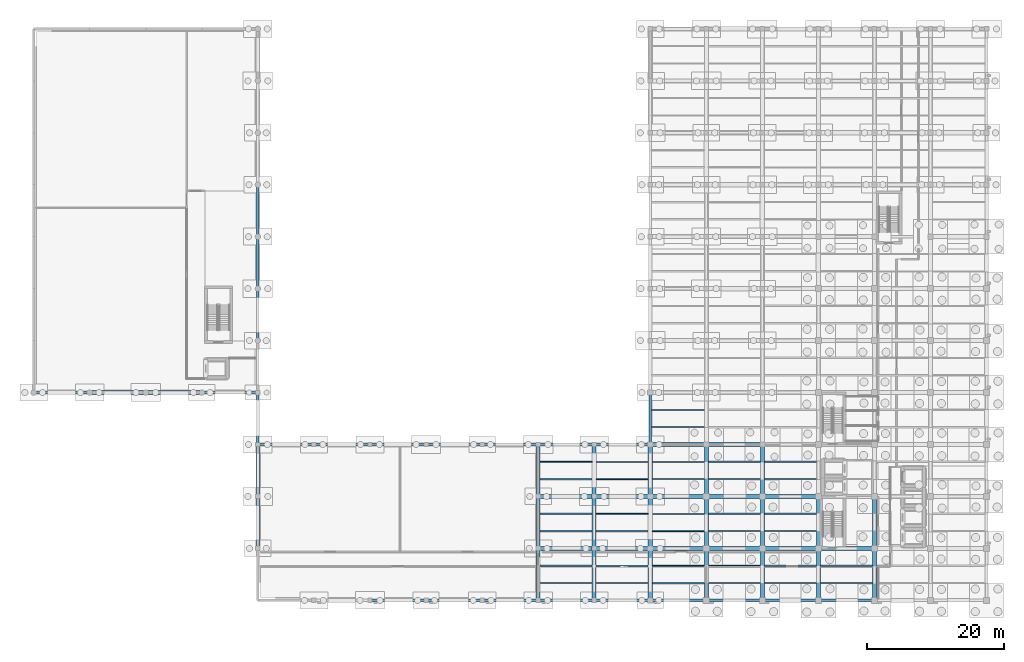
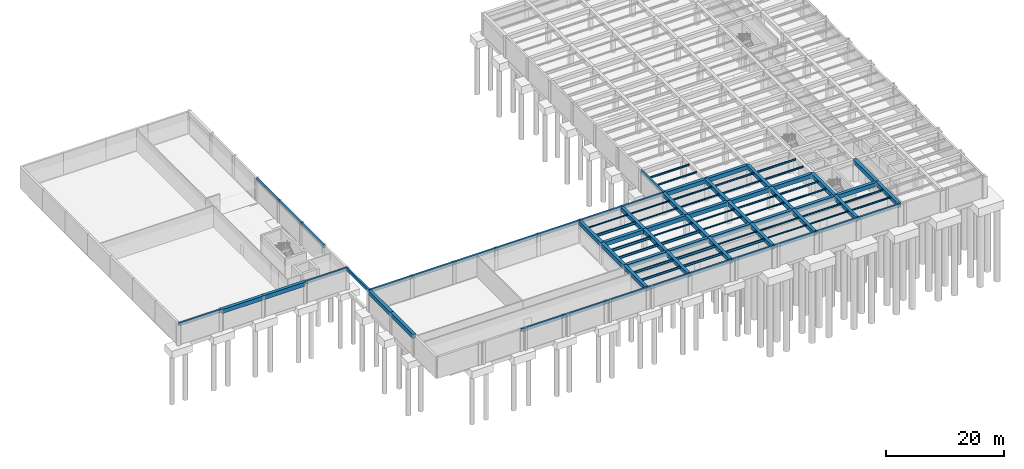
# One storey, part 12 of 29: 93 beams.
"""IFC4 building model written with IfcOpenShell, lengths in metres."""

from ifc_helpers import new_model, si_unit, direction, frame, origin, origin_2d, place, context, subcontext, project, spatial, rectangle, i_section, extrude, material, material_profile, profile_set, type_object, element, save


model = new_model("IFC4")

# Units and contexts
model_context = context("Model", 3, precision=1e-05, world=origin(), true_north=direction((0.0, 1.0)))
body_context = subcontext(model_context, "Body", "Model", "MODEL_VIEW")
ifc_project = project(units=[si_unit("LENGTHUNIT", "METRE"), si_unit("AREAUNIT", "SQUARE_METRE"), si_unit("VOLUMEUNIT", "CUBIC_METRE"), si_unit("PLANEANGLEUNIT", "RADIAN"), si_unit("MASSUNIT", "GRAM", prefix="KILO")], contexts=[model_context])

# Site, building, storey
site_placement = place(None, origin())
site = spatial("IfcSite", under=ifc_project, at=site_placement, CompositionType="ELEMENT")
building_placement = place(site_placement, origin())
building = spatial("IfcBuilding", under=site, at=building_placement, Name="Qandaris Square Conservatory and Botanical Centre", CompositionType="ELEMENT")
storey_placement = place(building_placement, frame((0.0, 0.0, -4.800048828125)))
storey = spatial("IfcBuildingStorey", under=building, at=storey_placement, Name="B1", CompositionType="ELEMENT", Elevation=-4.800048828125)

# Beams
ifc_material_1 = material(Name="Steel S355", Category="steel")
ifc_material_profile_1 = material_profile(ifc_material_1, i_section(OverallWidth=0.18994140625, OverallDepth=0.449951171875, WebThickness=0.009521484375, FlangeThickness=0.0146484375, FilletRadius=0.02099609375, at=origin_2d()), Name="IPE 450")
ifc_profile_set_1 = profile_set([ifc_material_profile_1], Name="Steel S355")
beam_type_1 = type_object("IfcBeamType", Name="Composite Archive Joist IPE 450", PredefinedType="JOIST", material=ifc_profile_set_1)
beam_1_placement = place(storey_placement, frame((98.5, 19.13330078125, 4.22509765625), z_axis=(1.0, 0.0, 0.0), x_axis=(0.0, 1.0, 0.0)))
element("IfcBeam", 1, at=beam_1_placement, inside=storey, type_object=beam_type_1, Name="B1 Composite Joist 0185", PredefinedType="JOIST", context=body_context, shape_type="SweptSolid", body=[
    extrude(i_section(OverallWidth=0.18994140625, OverallDepth=0.449951171875, WebThickness=0.009521484375, FlangeThickness=0.0146484375, FilletRadius=0.02099609375, at=origin_2d()), origin(), (0.0, 0.0, 1.0), 7.60009765625),
])
ifc_material_profile_2 = material_profile(ifc_material_1, i_section(OverallWidth=0.199951171875, OverallDepth=0.5, WebThickness=0.01025390625, FlangeThickness=0.01611328125, FilletRadius=0.02099609375, at=origin_2d()), Name="IPE 500")
ifc_profile_set_2 = profile_set([ifc_material_profile_2], Name="Steel S355")
beam_type_2 = type_object("IfcBeamType", Name="Composite Gallery Joist IPE 500", PredefinedType="JOIST", material=ifc_profile_set_2)
for number, where, z_axis, x_axis, name in (
    (2, (98.5, 21.666748046875, 4.199951171875), (1.0, 0.0, 0.0), (0.0, 1.0, 0.0), "B1 Composite Joist 0186"),
    (3, (98.5, 26.7333984375, 4.199951171875), (1.0, 0.0, 0.0), (0.0, 1.0, 0.0), "B1 Composite Joist 0187"),
    (4, (106.699951171875, 19.13330078125, 4.199951171875), (1.0, 0.0, 0.0), (0.0, 1.0, 0.0), "B1 Composite Joist 0191"),
):
    element("IfcBeam", number, at=place(storey_placement, frame(where, z_axis=z_axis, x_axis=x_axis)), inside=storey, type_object=beam_type_2, Name=name, PredefinedType="JOIST", context=body_context, shape_type="SweptSolid", body=[
        extrude(i_section(OverallWidth=0.199951171875, OverallDepth=0.5, WebThickness=0.01025390625, FlangeThickness=0.01611328125, FilletRadius=0.02099609375, at=origin_2d()), origin(), (0.0, 0.0, 1.0), 7.60009765625),
    ])
ifc_material_profile_3 = material_profile(ifc_material_1, i_section(OverallWidth=0.14990234375, OverallDepth=0.300048828125, WebThickness=0.007080078125, FlangeThickness=0.0107421875, FilletRadius=0.014892578125, at=origin_2d()), Name="IPE 300")
ifc_profile_set_3 = profile_set([ifc_material_profile_3], Name="Steel S355")
beam_type_3 = type_object("IfcBeamType", Name="Composite Lab Joist IPE 300", PredefinedType="JOIST", material=ifc_profile_set_3)
for number, where, z_axis, x_axis, name in (
    (5, (106.699951171875, 36.86669921875, 4.300048828125), (1.0, 0.0, 0.0), (0.0, 1.0, 0.0), "B1 Composite Joist 0196"),
    (6, (114.89990234375, 29.2666015625, 4.300048828125), (1.0, 0.0, 0.0), (0.0, 1.0, 0.0), "B1 Composite Joist 0200"),
    (7, (114.89990234375, 34.333251953125, 4.300048828125), (1.0, 0.0, 0.0), (0.0, 1.0, 0.0), "B1 Composite Joist 0201"),
):
    element("IfcBeam", number, at=place(storey_placement, frame(where, z_axis=z_axis, x_axis=x_axis)), inside=storey, type_object=beam_type_3, Name=name, PredefinedType="JOIST", context=body_context, shape_type="SweptSolid", body=[
        extrude(i_section(OverallWidth=0.14990234375, OverallDepth=0.300048828125, WebThickness=0.007080078125, FlangeThickness=0.0107421875, FilletRadius=0.014892578125, at=origin_2d()), origin(), (0.0, 0.0, 1.0), 7.60009765625),
    ])
for number, where, z_axis, x_axis, name in (
    (8, (123.10009765625, 21.666748046875, 4.300048828125), (1.0, 0.0, 0.0), (0.0, 1.0, 0.0), "B1 Composite Joist 0220"),
    (9, (123.10009765625, 26.7333984375, 4.300048828125), (1.0, 0.0, 0.0), (0.0, 1.0, 0.0), "B1 Composite Joist 0221"),
    (10, (131.300048828125, 19.13330078125, 4.300048828125), (1.0, 0.0, 0.0), (0.0, 1.0, 0.0), "B1 Composite Joist 0241"),
):
    element("IfcBeam", number, at=place(storey_placement, frame(where, z_axis=z_axis, x_axis=x_axis)), inside=storey, type_object=beam_type_3, Name=name, PredefinedType="JOIST", context=body_context, shape_type="SweptSolid", body=[
        extrude(i_section(OverallWidth=0.14990234375, OverallDepth=0.300048828125, WebThickness=0.007080078125, FlangeThickness=0.0107421875, FilletRadius=0.014892578125, at=origin_2d()), origin(), (0.0, 0.0, 1.0), 7.599853515625),
    ])
ifc_material_profile_4 = material_profile(ifc_material_1, i_section(OverallWidth=0.159912109375, OverallDepth=0.330078125, WebThickness=0.007568359375, FlangeThickness=0.011474609375, FilletRadius=0.01806640625, at=origin_2d()), Name="IPE 330")
ifc_profile_set_4 = profile_set([ifc_material_profile_4], Name="Steel S355")
beam_type_4 = type_object("IfcBeamType", Name="Composite Lab Joist IPE 330", PredefinedType="JOIST", material=ifc_profile_set_4)
beam_2_placement = place(storey_placement, frame((114.89990234375, 36.86669921875, 4.28515625), z_axis=(1.0, 0.0, 0.0), x_axis=(0.0, 1.0, 0.0)))
element("IfcBeam", 11, at=beam_2_placement, inside=storey, type_object=beam_type_4, Name="B1 Composite Joist 0202", PredefinedType="JOIST", context=body_context, shape_type="SweptSolid", body=[
    extrude(i_section(OverallWidth=0.159912109375, OverallDepth=0.330078125, WebThickness=0.007568359375, FlangeThickness=0.011474609375, FilletRadius=0.01806640625, at=origin_2d()), origin(), (0.0, 0.0, 1.0), 7.60009765625),
])
beam_3_placement = place(storey_placement, frame((114.77490234375, 41.933349609375, 4.28515625), z_axis=(1.0, 0.0, 0.0), x_axis=(0.0, 1.0, 0.0)))
element("IfcBeam", 12, at=beam_3_placement, inside=storey, type_object=beam_type_4, Name="B1 Composite Joist 0203", PredefinedType="JOIST", context=body_context, shape_type="SweptSolid", body=[
    extrude(i_section(OverallWidth=0.159912109375, OverallDepth=0.330078125, WebThickness=0.007568359375, FlangeThickness=0.011474609375, FilletRadius=0.01806640625, at=origin_2d()), origin(), (0.0, 0.0, 1.0), 7.72509765625),
])
for number, where, z_axis, x_axis, name in (
    (13, (123.10009765625, 29.2666015625, 4.28515625), (1.0, 0.0, 0.0), (0.0, 1.0, 0.0), "B1 Composite Joist 0222"),
    (14, (123.10009765625, 34.333251953125, 4.28515625), (1.0, 0.0, 0.0), (0.0, 1.0, 0.0), "B1 Composite Joist 0223"),
    (15, (131.300048828125, 21.666748046875, 4.28515625), (1.0, 0.0, 0.0), (0.0, 1.0, 0.0), "B1 Composite Joist 0242"),
    (16, (131.300048828125, 26.7333984375, 4.28515625), (1.0, 0.0, 0.0), (0.0, 1.0, 0.0), "B1 Composite Joist 0243"),
):
    element("IfcBeam", number, at=place(storey_placement, frame(where, z_axis=z_axis, x_axis=x_axis)), inside=storey, type_object=beam_type_4, Name=name, PredefinedType="JOIST", context=body_context, shape_type="SweptSolid", body=[
        extrude(i_section(OverallWidth=0.159912109375, OverallDepth=0.330078125, WebThickness=0.007568359375, FlangeThickness=0.011474609375, FilletRadius=0.01806640625, at=origin_2d()), origin(), (0.0, 0.0, 1.0), 7.599853515625),
    ])
beam_4_placement = place(storey_placement, frame((139.5, 19.13330078125, 4.28515625), z_axis=(1.0, 0.0, 0.0), x_axis=(0.0, 1.0, 0.0)))
element("IfcBeam", 17, at=beam_4_placement, inside=storey, type_object=beam_type_4, Name="B1 Composite Joist 0263", PredefinedType="JOIST", context=body_context, shape_type="SweptSolid", body=[
    extrude(i_section(OverallWidth=0.159912109375, OverallDepth=0.330078125, WebThickness=0.007568359375, FlangeThickness=0.011474609375, FilletRadius=0.01806640625, at=origin_2d()), origin(), (0.0, 0.0, 1.0), 7.60009765625),
])
ifc_material_profile_5 = material_profile(ifc_material_1, i_section(OverallWidth=0.169921875, OverallDepth=0.360107421875, WebThickness=0.008056640625, FlangeThickness=0.0126953125, FilletRadius=0.01806640625, at=origin_2d()), Name="IPE 360")
ifc_profile_set_5 = profile_set([ifc_material_profile_5], Name="Steel S355")
beam_type_5 = type_object("IfcBeamType", Name="Composite Lab Joist IPE 360", PredefinedType="JOIST", material=ifc_profile_set_5)
beam_5_placement = place(storey_placement, frame((114.77490234375, 44.466796875, 4.27001953125), z_axis=(1.0, 0.0, 0.0), x_axis=(0.0, 1.0, 0.0)))
element("IfcBeam", 18, at=beam_5_placement, inside=storey, type_object=beam_type_5, Name="B1 Composite Joist 0204", PredefinedType="JOIST", context=body_context, shape_type="SweptSolid", body=[
    extrude(i_section(OverallWidth=0.169921875, OverallDepth=0.360107421875, WebThickness=0.008056640625, FlangeThickness=0.0126953125, FilletRadius=0.01806640625, at=origin_2d()), origin(), (0.0, 0.0, 1.0), 7.72509765625),
])
for number, where, z_axis, x_axis, name in (
    (19, (123.10009765625, 36.86669921875, 4.27001953125), (1.0, 0.0, 0.0), (0.0, 1.0, 0.0), "B1 Composite Joist 0224"),
    (20, (131.300048828125, 29.2666015625, 4.27001953125), (1.0, 0.0, 0.0), (0.0, 1.0, 0.0), "B1 Composite Joist 0244"),
    (21, (131.300048828125, 34.333251953125, 4.27001953125), (1.0, 0.0, 0.0), (0.0, 1.0, 0.0), "B1 Composite Joist 0245"),
):
    element("IfcBeam", number, at=place(storey_placement, frame(where, z_axis=z_axis, x_axis=x_axis)), inside=storey, type_object=beam_type_5, Name=name, PredefinedType="JOIST", context=body_context, shape_type="SweptSolid", body=[
        extrude(i_section(OverallWidth=0.169921875, OverallDepth=0.360107421875, WebThickness=0.008056640625, FlangeThickness=0.0126953125, FilletRadius=0.01806640625, at=origin_2d()), origin(), (0.0, 0.0, 1.0), 7.599853515625),
    ])
beam_6_placement = place(storey_placement, frame((139.5, 21.666748046875, 4.27001953125), z_axis=(1.0, 0.0, 0.0), x_axis=(0.0, 1.0, 0.0)))
element("IfcBeam", 22, at=beam_6_placement, inside=storey, type_object=beam_type_5, Name="B1 Composite Joist 0264", PredefinedType="JOIST", context=body_context, shape_type="SweptSolid", body=[
    extrude(i_section(OverallWidth=0.169921875, OverallDepth=0.360107421875, WebThickness=0.008056640625, FlangeThickness=0.0126953125, FilletRadius=0.01806640625, at=origin_2d()), origin(), (0.0, 0.0, 1.0), 7.60009765625),
])
ifc_material_profile_6 = material_profile(ifc_material_1, i_section(OverallWidth=0.179931640625, OverallDepth=0.39990234375, WebThickness=0.008544921875, FlangeThickness=0.013427734375, FilletRadius=0.02099609375, at=origin_2d()), Name="IPE 400")
ifc_profile_set_6 = profile_set([ifc_material_profile_6], Name="Steel S355")
beam_type_6 = type_object("IfcBeamType", Name="Composite Plinth Joist IPE 400", PredefinedType="JOIST", material=ifc_profile_set_6)
beam_7_placement = place(storey_placement, frame((131.300048828125, 36.86669921875, 4.25), z_axis=(1.0, 0.0, 0.0), x_axis=(0.0, 1.0, 0.0)))
element("IfcBeam", 23, at=beam_7_placement, inside=storey, type_object=beam_type_6, Name="B1 Composite Joist 0246", PredefinedType="JOIST", context=body_context, shape_type="SweptSolid", body=[
    extrude(i_section(OverallWidth=0.179931640625, OverallDepth=0.39990234375, WebThickness=0.008544921875, FlangeThickness=0.013427734375, FilletRadius=0.02099609375, at=origin_2d()), origin(), (0.0, 0.0, 1.0), 7.599853515625),
])
ifc_material_profile_7 = material_profile(ifc_material_1, i_section(OverallWidth=0.2099609375, OverallDepth=0.550048828125, WebThickness=0.010986328125, FlangeThickness=0.01708984375, FilletRadius=0.02392578125, at=origin_2d()), Name="IPE 550")
ifc_profile_set_7 = profile_set([ifc_material_profile_7], Name="Steel S355")
beam_type_7 = type_object("IfcBeamType", Name="Long-Span Foyer Joist IPE 550", PredefinedType="JOIST", material=ifc_profile_set_7)
for number, where, z_axis, x_axis, name in (
    (24, (98.5, 29.2666015625, 4.175048828125), (1.0, 0.0, 0.0), (0.0, 1.0, 0.0), "B1 Composite Joist 0188"),
    (25, (98.5, 34.333251953125, 4.175048828125), (1.0, 0.0, 0.0), (0.0, 1.0, 0.0), "B1 Composite Joist 0189"),
    (26, (106.699951171875, 21.666748046875, 4.175048828125), (1.0, 0.0, 0.0), (0.0, 1.0, 0.0), "B1 Composite Joist 0192"),
    (27, (106.699951171875, 26.7333984375, 4.175048828125), (1.0, 0.0, 0.0), (0.0, 1.0, 0.0), "B1 Composite Joist 0193"),
    (28, (114.89990234375, 19.13330078125, 4.175048828125), (1.0, 0.0, 0.0), (0.0, 1.0, 0.0), "B1 Composite Joist 0197"),
):
    element("IfcBeam", number, at=place(storey_placement, frame(where, z_axis=z_axis, x_axis=x_axis)), inside=storey, type_object=beam_type_7, Name=name, PredefinedType="JOIST", context=body_context, shape_type="SweptSolid", body=[
        extrude(i_section(OverallWidth=0.2099609375, OverallDepth=0.550048828125, WebThickness=0.010986328125, FlangeThickness=0.01708984375, FilletRadius=0.02392578125, at=origin_2d()), origin(), (0.0, 0.0, 1.0), 7.60009765625),
    ])
ifc_material_2 = material(Name="Concrete C50/60", Category="concrete")
ifc_material_profile_8 = material_profile(ifc_material_2, rectangle(XDim=0.35009765625, YDim=0.60009765625, at=origin_2d()), Name="RC-SP 350x600")
ifc_profile_set_8 = profile_set([ifc_material_profile_8], Name="Concrete C50/60")
beam_type_8 = type_object("IfcBeamType", Name="RC Edge Spandrel Beam 350x600", PredefinedType="SPANDREL", material=ifc_profile_set_8)
for number, where, z_axis, x_axis, name in (
    (29, (73.60009765625, 16.60009765625, 4.16015625), (1.0, 0.0, 0.0), (0.0, 1.0, 0.0), "B1 Frame Beam 0002"),
    (30, (81.800048828125, 16.60009765625, 4.16015625), (1.0, 0.0, 0.0), (0.0, 1.0, 0.0), "B1 Frame Beam 0003"),
    (31, (90.0, 16.60009765625, 4.16015625), (1.0, 0.0, 0.0), (0.0, 1.0, 0.0), "B1 Frame Beam 0004"),
    (32, (98.199951171875, 16.60009765625, 4.16015625), (1.0, 0.0, 0.0), (0.0, 1.0, 0.0), "B1 Frame Beam 0005"),
):
    element("IfcBeam", number, at=place(storey_placement, frame(where, z_axis=z_axis, x_axis=x_axis)), inside=storey, type_object=beam_type_8, Name=name, PredefinedType="SPANDREL", context=body_context, shape_type="SweptSolid", body=[
        extrude(rectangle(XDim=0.35009765625, YDim=0.60009765625, at=origin_2d()), origin(), (0.0, 0.0, 1.0), 8.199951171875),
    ])
beam_8_placement = place(storey_placement, frame((106.39990234375, 16.60009765625, 4.16015625), z_axis=(1.0, 0.0, 0.0), x_axis=(0.0, 1.0, 0.0)))
element("IfcBeam", 33, at=beam_8_placement, inside=storey, type_object=beam_type_8, Name="B1 Frame Beam 0006", PredefinedType="SPANDREL", context=body_context, shape_type="SweptSolid", body=[
    extrude(rectangle(XDim=0.35009765625, YDim=0.60009765625, at=origin_2d()), origin(), (0.0, 0.0, 1.0), 8.2001953125),
])
for number, where, z_axis, x_axis, name in (
    (34, (114.60009765625, 16.60009765625, 4.16015625), (1.0, 0.0, 0.0), (0.0, 1.0, 0.0), "B1 Frame Beam 0007"),
    (35, (122.800048828125, 16.60009765625, 4.16015625), (1.0, 0.0, 0.0), (0.0, 1.0, 0.0), "B1 Frame Beam 0008"),
    (36, (131.0, 16.60009765625, 4.16015625), (1.0, 0.0, 0.0), (0.0, 1.0, 0.0), "B1 Frame Beam 0009"),
    (37, (139.199951171875, 16.60009765625, 4.16015625), (1.0, 0.0, 0.0), (0.0, 1.0, 0.0), "B1 Frame Beam 0010"),
    (38, (57.199951171875, 39.39990234375, 4.16015625), (1.0, 0.0, 0.0), (0.0, 1.0, 0.0), "B1 Frame Beam 0029"),
):
    element("IfcBeam", number, at=place(storey_placement, frame(where, z_axis=z_axis, x_axis=x_axis)), inside=storey, type_object=beam_type_8, Name=name, PredefinedType="SPANDREL", context=body_context, shape_type="SweptSolid", body=[
        extrude(rectangle(XDim=0.35009765625, YDim=0.60009765625, at=origin_2d()), origin(), (0.0, 0.0, 1.0), 8.199951171875),
    ])
beam_9_placement = place(storey_placement, frame((65.39990234375, 39.39990234375, 4.16015625), z_axis=(1.0, 0.0, 0.0), x_axis=(0.0, 1.0, 0.0)))
element("IfcBeam", 39, at=beam_9_placement, inside=storey, type_object=beam_type_8, Name="B1 Frame Beam 0030", PredefinedType="SPANDREL", context=body_context, shape_type="SweptSolid", body=[
    extrude(rectangle(XDim=0.35009765625, YDim=0.60009765625, at=origin_2d()), origin(), (0.0, 0.0, 1.0), 8.2001953125),
])
for number, where, z_axis, x_axis, name in (
    (40, (73.60009765625, 39.39990234375, 4.16015625), (1.0, 0.0, 0.0), (0.0, 1.0, 0.0), "B1 Frame Beam 0031"),
    (41, (81.800048828125, 39.39990234375, 4.16015625), (1.0, 0.0, 0.0), (0.0, 1.0, 0.0), "B1 Frame Beam 0032"),
    (42, (90.0, 39.39990234375, 4.16015625), (1.0, 0.0, 0.0), (0.0, 1.0, 0.0), "B1 Frame Beam 0033"),
    (43, (98.199951171875, 39.39990234375, 4.16015625), (1.0, 0.0, 0.0), (0.0, 1.0, 0.0), "B1 Frame Beam 0034"),
):
    element("IfcBeam", number, at=place(storey_placement, frame(where, z_axis=z_axis, x_axis=x_axis)), inside=storey, type_object=beam_type_8, Name=name, PredefinedType="SPANDREL", context=body_context, shape_type="SweptSolid", body=[
        extrude(rectangle(XDim=0.35009765625, YDim=0.60009765625, at=origin_2d()), origin(), (0.0, 0.0, 1.0), 8.199951171875),
    ])
for number, where, z_axis, x_axis, name in (
    (44, (106.39990234375, 39.39990234375, 4.16015625), (1.0, 0.0, 0.0), (0.0, 1.0, 0.0), "B1 Frame Beam 0035"),
    (45, (24.39990234375, 47.0, 4.16015625), (1.0, 0.0, 0.0), (0.0, 1.0, 0.0), "B1 Frame Beam 0042"),
):
    element("IfcBeam", number, at=place(storey_placement, frame(where, z_axis=z_axis, x_axis=x_axis)), inside=storey, type_object=beam_type_8, Name=name, PredefinedType="SPANDREL", context=body_context, shape_type="SweptSolid", body=[
        extrude(rectangle(XDim=0.35009765625, YDim=0.60009765625, at=origin_2d()), origin(), (0.0, 0.0, 1.0), 8.2001953125),
    ])
beam_10_placement = place(storey_placement, frame((49.0, 47.0, 4.16015625), z_axis=(1.0, 0.0, 0.0), x_axis=(0.0, 1.0, 0.0)))
element("IfcBeam", 46, at=beam_10_placement, inside=storey, type_object=beam_type_8, Name="B1 Frame Beam 0045", PredefinedType="SPANDREL", context=body_context, shape_type="SweptSolid", body=[
    extrude(rectangle(XDim=0.35009765625, YDim=0.60009765625, at=origin_2d()), origin(), (0.0, 0.0, 1.0), 8.199951171875),
])
beam_11_placement = place(storey_placement, frame((57.199951171875, 39.39990234375, 4.16015625), z_axis=(0.0, 1.0, 0.0), x_axis=(-1.0, 0.0, 0.0)))
element("IfcBeam", 47, at=beam_11_placement, inside=storey, type_object=beam_type_8, Name="B1 Frame Beam 0095", PredefinedType="SPANDREL", context=body_context, shape_type="SweptSolid", body=[
    extrude(rectangle(XDim=0.35009765625, YDim=0.60009765625, at=origin_2d()), origin(), (0.0, 0.0, 1.0), 7.60009765625),
])
beam_12_placement = place(storey_placement, frame((57.199951171875, 54.60009765625, 4.16015625), z_axis=(0.0, 1.0, 0.0), x_axis=(-1.0, 0.0, 0.0)))
element("IfcBeam", 48, at=beam_12_placement, inside=storey, type_object=beam_type_8, Name="B1 Frame Beam 0096", PredefinedType="SPANDREL", context=body_context, shape_type="SweptSolid", body=[
    extrude(rectangle(XDim=0.35009765625, YDim=0.60009765625, at=origin_2d()), origin(), (0.0, 0.0, 1.0), 7.599853515625),
])
beam_13_placement = place(storey_placement, frame((57.199951171875, 62.199951171875, 4.16015625), z_axis=(0.0, 1.0, 0.0), x_axis=(-1.0, 0.0, 0.0)))
element("IfcBeam", 49, at=beam_13_placement, inside=storey, type_object=beam_type_8, Name="B1 Frame Beam 0097", PredefinedType="SPANDREL", context=body_context, shape_type="SweptSolid", body=[
    extrude(rectangle(XDim=0.35009765625, YDim=0.60009765625, at=origin_2d()), origin(), (0.0, 0.0, 1.0), 7.60009765625),
])
beam_14_placement = place(storey_placement, frame((57.199951171875, 69.800048828125, 4.16015625), z_axis=(0.0, 1.0, 0.0), x_axis=(-1.0, 0.0, 0.0)))
element("IfcBeam", 50, at=beam_14_placement, inside=storey, type_object=beam_type_8, Name="B1 Frame Beam 0098", PredefinedType="SPANDREL", context=body_context, shape_type="SweptSolid", body=[
    extrude(rectangle(XDim=0.35009765625, YDim=0.60009765625, at=origin_2d()), origin(), (0.0, 0.0, 1.0), 7.599853515625),
])
beam_15_placement = place(storey_placement, frame((114.60009765625, 39.39990234375, 4.16015625), z_axis=(0.0, 1.0, 0.0), x_axis=(-1.0, 0.0, 0.0)))
element("IfcBeam", 51, at=beam_15_placement, inside=storey, type_object=beam_type_8, Name="B1 Frame Beam 0111", PredefinedType="SPANDREL", context=body_context, shape_type="SweptSolid", body=[
    extrude(rectangle(XDim=0.35009765625, YDim=0.60009765625, at=origin_2d()), origin(), (0.0, 0.0, 1.0), 7.60009765625),
])
ifc_material_profile_9 = material_profile(ifc_material_2, rectangle(XDim=0.60009765625, YDim=0.85009765625, at=origin_2d()), Name="RC-BM 600x850")
ifc_profile_set_9 = profile_set([ifc_material_profile_9], Name="Concrete C50/60")
beam_type_9 = type_object("IfcBeamType", Name="RC Heavy Archive Girder 600x850", PredefinedType="BEAM", material=ifc_profile_set_9)
beam_16_placement = place(storey_placement, frame((98.199951171875, 24.199951171875, 4.03515625), z_axis=(1.0, 0.0, 0.0), x_axis=(0.0, 1.0, 0.0)))
element("IfcBeam", 52, at=beam_16_placement, inside=storey, type_object=beam_type_9, Name="B1 Frame Beam 0013", PredefinedType="BEAM", context=body_context, shape_type="SweptSolid", body=[
    extrude(rectangle(XDim=0.60009765625, YDim=0.85009765625, at=origin_2d()), origin(), (0.0, 0.0, 1.0), 8.199951171875),
])
beam_17_placement = place(storey_placement, frame((106.39990234375, 24.199951171875, 4.03515625), z_axis=(1.0, 0.0, 0.0), x_axis=(0.0, 1.0, 0.0)))
element("IfcBeam", 53, at=beam_17_placement, inside=storey, type_object=beam_type_9, Name="B1 Frame Beam 0014", PredefinedType="BEAM", context=body_context, shape_type="SweptSolid", body=[
    extrude(rectangle(XDim=0.60009765625, YDim=0.85009765625, at=origin_2d()), origin(), (0.0, 0.0, 1.0), 8.2001953125),
])
for number, where, z_axis, x_axis, name in (
    (54, (114.60009765625, 24.199951171875, 4.03515625), (1.0, 0.0, 0.0), (0.0, 1.0, 0.0), "B1 Frame Beam 0015"),
    (55, (122.800048828125, 24.199951171875, 4.03515625), (1.0, 0.0, 0.0), (0.0, 1.0, 0.0), "B1 Frame Beam 0016"),
    (56, (131.0, 24.199951171875, 4.03515625), (1.0, 0.0, 0.0), (0.0, 1.0, 0.0), "B1 Frame Beam 0017"),
    (57, (139.199951171875, 24.199951171875, 4.03515625), (1.0, 0.0, 0.0), (0.0, 1.0, 0.0), "B1 Frame Beam 0018"),
    (58, (98.199951171875, 31.800048828125, 4.03515625), (1.0, 0.0, 0.0), (0.0, 1.0, 0.0), "B1 Frame Beam 0021"),
):
    element("IfcBeam", number, at=place(storey_placement, frame(where, z_axis=z_axis, x_axis=x_axis)), inside=storey, type_object=beam_type_9, Name=name, PredefinedType="BEAM", context=body_context, shape_type="SweptSolid", body=[
        extrude(rectangle(XDim=0.60009765625, YDim=0.85009765625, at=origin_2d()), origin(), (0.0, 0.0, 1.0), 8.199951171875),
    ])
beam_18_placement = place(storey_placement, frame((106.39990234375, 31.800048828125, 4.03515625), z_axis=(1.0, 0.0, 0.0), x_axis=(0.0, 1.0, 0.0)))
element("IfcBeam", 59, at=beam_18_placement, inside=storey, type_object=beam_type_9, Name="B1 Frame Beam 0022", PredefinedType="BEAM", context=body_context, shape_type="SweptSolid", body=[
    extrude(rectangle(XDim=0.60009765625, YDim=0.85009765625, at=origin_2d()), origin(), (0.0, 0.0, 1.0), 8.2001953125),
])
for number, where, z_axis, x_axis, name in (
    (60, (114.60009765625, 31.800048828125, 4.03515625), (1.0, 0.0, 0.0), (0.0, 1.0, 0.0), "B1 Frame Beam 0023"),
    (61, (122.800048828125, 31.800048828125, 4.03515625), (1.0, 0.0, 0.0), (0.0, 1.0, 0.0), "B1 Frame Beam 0024"),
    (62, (131.0, 31.800048828125, 4.03515625), (1.0, 0.0, 0.0), (0.0, 1.0, 0.0), "B1 Frame Beam 0025"),
    (63, (114.60009765625, 39.39990234375, 4.03515625), (1.0, 0.0, 0.0), (0.0, 1.0, 0.0), "B1 Frame Beam 0036"),
    (64, (122.800048828125, 39.39990234375, 4.03515625), (1.0, 0.0, 0.0), (0.0, 1.0, 0.0), "B1 Frame Beam 0037"),
    (65, (32.60009765625, 47.0, 4.03515625), (1.0, 0.0, 0.0), (0.0, 1.0, 0.0), "B1 Frame Beam 0043"),
    (66, (40.800048828125, 47.0, 4.03515625), (1.0, 0.0, 0.0), (0.0, 1.0, 0.0), "B1 Frame Beam 0044"),
):
    element("IfcBeam", number, at=place(storey_placement, frame(where, z_axis=z_axis, x_axis=x_axis)), inside=storey, type_object=beam_type_9, Name=name, PredefinedType="BEAM", context=body_context, shape_type="SweptSolid", body=[
        extrude(rectangle(XDim=0.60009765625, YDim=0.85009765625, at=origin_2d()), origin(), (0.0, 0.0, 1.0), 8.199951171875),
    ])
beam_19_placement = place(storey_placement, frame((57.199951171875, 24.199951171875, 4.03515625), z_axis=(0.0, 1.0, 0.0), x_axis=(-1.0, 0.0, 0.0)))
element("IfcBeam", 67, at=beam_19_placement, inside=storey, type_object=beam_type_9, Name="B1 Frame Beam 0093", PredefinedType="BEAM", context=body_context, shape_type="SweptSolid", body=[
    extrude(rectangle(XDim=0.60009765625, YDim=0.85009765625, at=origin_2d()), origin(), (0.0, 0.0, 1.0), 7.60009765625),
])
for number, where, z_axis, x_axis, name in (
    (68, (57.199951171875, 31.800048828125, 4.03515625), (0.0, 1.0, 0.0), (-1.0, 0.0, 0.0), "B1 Frame Beam 0094"),
    (69, (98.199951171875, 16.60009765625, 4.03515625), (0.0, 1.0, 0.0), (-1.0, 0.0, 0.0), "B1 Frame Beam 0102"),
):
    element("IfcBeam", number, at=place(storey_placement, frame(where, z_axis=z_axis, x_axis=x_axis)), inside=storey, type_object=beam_type_9, Name=name, PredefinedType="BEAM", context=body_context, shape_type="SweptSolid", body=[
        extrude(rectangle(XDim=0.60009765625, YDim=0.85009765625, at=origin_2d()), origin(), (0.0, 0.0, 1.0), 7.599853515625),
    ])
beam_20_placement = place(storey_placement, frame((98.199951171875, 24.199951171875, 4.03515625), z_axis=(0.0, 1.0, 0.0), x_axis=(-1.0, 0.0, 0.0)))
element("IfcBeam", 70, at=beam_20_placement, inside=storey, type_object=beam_type_9, Name="B1 Frame Beam 0103", PredefinedType="BEAM", context=body_context, shape_type="SweptSolid", body=[
    extrude(rectangle(XDim=0.60009765625, YDim=0.85009765625, at=origin_2d()), origin(), (0.0, 0.0, 1.0), 7.60009765625),
])
for number, where, z_axis, x_axis, name in (
    (71, (98.199951171875, 31.800048828125, 4.03515625), (0.0, 1.0, 0.0), (-1.0, 0.0, 0.0), "B1 Frame Beam 0104"),
    (72, (106.39990234375, 16.60009765625, 4.03515625), (0.0, 1.0, 0.0), (-1.0, 0.0, 0.0), "B1 Frame Beam 0105"),
):
    element("IfcBeam", number, at=place(storey_placement, frame(where, z_axis=z_axis, x_axis=x_axis)), inside=storey, type_object=beam_type_9, Name=name, PredefinedType="BEAM", context=body_context, shape_type="SweptSolid", body=[
        extrude(rectangle(XDim=0.60009765625, YDim=0.85009765625, at=origin_2d()), origin(), (0.0, 0.0, 1.0), 7.599853515625),
    ])
beam_21_placement = place(storey_placement, frame((106.39990234375, 24.199951171875, 4.03515625), z_axis=(0.0, 1.0, 0.0), x_axis=(-1.0, 0.0, 0.0)))
element("IfcBeam", 73, at=beam_21_placement, inside=storey, type_object=beam_type_9, Name="B1 Frame Beam 0106", PredefinedType="BEAM", context=body_context, shape_type="SweptSolid", body=[
    extrude(rectangle(XDim=0.60009765625, YDim=0.85009765625, at=origin_2d()), origin(), (0.0, 0.0, 1.0), 7.60009765625),
])
for number, where, z_axis, x_axis, name in (
    (74, (106.39990234375, 31.800048828125, 4.03515625), (0.0, 1.0, 0.0), (-1.0, 0.0, 0.0), "B1 Frame Beam 0107"),
    (75, (114.60009765625, 16.60009765625, 4.03515625), (0.0, 1.0, 0.0), (-1.0, 0.0, 0.0), "B1 Frame Beam 0108"),
):
    element("IfcBeam", number, at=place(storey_placement, frame(where, z_axis=z_axis, x_axis=x_axis)), inside=storey, type_object=beam_type_9, Name=name, PredefinedType="BEAM", context=body_context, shape_type="SweptSolid", body=[
        extrude(rectangle(XDim=0.60009765625, YDim=0.85009765625, at=origin_2d()), origin(), (0.0, 0.0, 1.0), 7.599853515625),
    ])
beam_22_placement = place(storey_placement, frame((114.60009765625, 24.199951171875, 4.03515625), z_axis=(0.0, 1.0, 0.0), x_axis=(-1.0, 0.0, 0.0)))
element("IfcBeam", 76, at=beam_22_placement, inside=storey, type_object=beam_type_9, Name="B1 Frame Beam 0109", PredefinedType="BEAM", context=body_context, shape_type="SweptSolid", body=[
    extrude(rectangle(XDim=0.60009765625, YDim=0.85009765625, at=origin_2d()), origin(), (0.0, 0.0, 1.0), 7.60009765625),
])
for number, where, z_axis, x_axis, name in (
    (77, (114.60009765625, 31.800048828125, 4.03515625), (0.0, 1.0, 0.0), (-1.0, 0.0, 0.0), "B1 Frame Beam 0110"),
    (78, (122.800048828125, 16.60009765625, 4.03515625), (0.0, 1.0, 0.0), (-1.0, 0.0, 0.0), "B1 Frame Beam 0119"),
):
    element("IfcBeam", number, at=place(storey_placement, frame(where, z_axis=z_axis, x_axis=x_axis)), inside=storey, type_object=beam_type_9, Name=name, PredefinedType="BEAM", context=body_context, shape_type="SweptSolid", body=[
        extrude(rectangle(XDim=0.60009765625, YDim=0.85009765625, at=origin_2d()), origin(), (0.0, 0.0, 1.0), 7.599853515625),
    ])
beam_23_placement = place(storey_placement, frame((122.800048828125, 24.199951171875, 4.03515625), z_axis=(0.0, 1.0, 0.0), x_axis=(-1.0, 0.0, 0.0)))
element("IfcBeam", 79, at=beam_23_placement, inside=storey, type_object=beam_type_9, Name="B1 Frame Beam 0120", PredefinedType="BEAM", context=body_context, shape_type="SweptSolid", body=[
    extrude(rectangle(XDim=0.60009765625, YDim=0.85009765625, at=origin_2d()), origin(), (0.0, 0.0, 1.0), 7.60009765625),
])
for number, where, z_axis, x_axis, name in (
    (80, (122.800048828125, 31.800048828125, 4.03515625), (0.0, 1.0, 0.0), (-1.0, 0.0, 0.0), "B1 Frame Beam 0121"),
    (81, (131.0, 16.60009765625, 4.03515625), (0.0, 1.0, 0.0), (-1.0, 0.0, 0.0), "B1 Frame Beam 0130"),
):
    element("IfcBeam", number, at=place(storey_placement, frame(where, z_axis=z_axis, x_axis=x_axis)), inside=storey, type_object=beam_type_9, Name=name, PredefinedType="BEAM", context=body_context, shape_type="SweptSolid", body=[
        extrude(rectangle(XDim=0.60009765625, YDim=0.85009765625, at=origin_2d()), origin(), (0.0, 0.0, 1.0), 7.599853515625),
    ])
beam_24_placement = place(storey_placement, frame((131.0, 24.199951171875, 4.03515625), z_axis=(0.0, 1.0, 0.0), x_axis=(-1.0, 0.0, 0.0)))
element("IfcBeam", 82, at=beam_24_placement, inside=storey, type_object=beam_type_9, Name="B1 Frame Beam 0131", PredefinedType="BEAM", context=body_context, shape_type="SweptSolid", body=[
    extrude(rectangle(XDim=0.60009765625, YDim=0.85009765625, at=origin_2d()), origin(), (0.0, 0.0, 1.0), 7.60009765625),
])
for number, where, z_axis, x_axis, name in (
    (83, (131.0, 31.800048828125, 4.03515625), (0.0, 1.0, 0.0), (-1.0, 0.0, 0.0), "B1 Frame Beam 0132"),
    (84, (139.199951171875, 16.60009765625, 4.03515625), (0.0, 1.0, 0.0), (-1.0, 0.0, 0.0), "B1 Frame Beam 0141"),
):
    element("IfcBeam", number, at=place(storey_placement, frame(where, z_axis=z_axis, x_axis=x_axis)), inside=storey, type_object=beam_type_9, Name=name, PredefinedType="BEAM", context=body_context, shape_type="SweptSolid", body=[
        extrude(rectangle(XDim=0.60009765625, YDim=0.85009765625, at=origin_2d()), origin(), (0.0, 0.0, 1.0), 7.599853515625),
    ])
beam_25_placement = place(storey_placement, frame((139.199951171875, 24.199951171875, 4.03515625), z_axis=(0.0, 1.0, 0.0), x_axis=(-1.0, 0.0, 0.0)))
element("IfcBeam", 85, at=beam_25_placement, inside=storey, type_object=beam_type_9, Name="B1 Frame Beam 0142", PredefinedType="BEAM", context=body_context, shape_type="SweptSolid", body=[
    extrude(rectangle(XDim=0.60009765625, YDim=0.85009765625, at=origin_2d()), origin(), (0.0, 0.0, 1.0), 7.60009765625),
])
beam_26_placement = place(storey_placement, frame((147.39990234375, 16.60009765625, 4.03515625), z_axis=(0.0, 1.0, 0.0), x_axis=(-1.0, 0.0, 0.0)))
element("IfcBeam", 86, at=beam_26_placement, inside=storey, type_object=beam_type_9, Name="B1 Frame Beam 0152", PredefinedType="BEAM", context=body_context, shape_type="SweptSolid", body=[
    extrude(rectangle(XDim=0.60009765625, YDim=0.85009765625, at=origin_2d()), origin(), (0.0, 0.0, 1.0), 7.599853515625),
])
beam_27_placement = place(storey_placement, frame((147.39990234375, 24.199951171875, 4.03515625), z_axis=(0.0, 1.0, 0.0), x_axis=(-1.0, 0.0, 0.0)))
element("IfcBeam", 87, at=beam_27_placement, inside=storey, type_object=beam_type_9, Name="B1 Frame Beam 0153", PredefinedType="BEAM", context=body_context, shape_type="SweptSolid", body=[
    extrude(rectangle(XDim=0.60009765625, YDim=0.85009765625, at=origin_2d()), origin(), (0.0, 0.0, 1.0), 7.60009765625),
])
ifc_material_profile_10 = material_profile(ifc_material_1, i_section(OverallWidth=0.135009765625, OverallDepth=0.27001953125, WebThickness=0.006591796875, FlangeThickness=0.01025390625, FilletRadius=0.014892578125, at=origin_2d()), Name="IPE 270")
ifc_profile_set_10 = profile_set([ifc_material_profile_10], Name="Steel S355")
beam_type_10 = type_object("IfcBeamType", Name="Steel Floor Joist IPE 270", PredefinedType="JOIST", material=ifc_profile_set_10)
for number, where, z_axis, x_axis, name in (
    (88, (98.5, 36.86669921875, 4.31494140625), (1.0, 0.0, 0.0), (0.0, 1.0, 0.0), "B1 Composite Joist 0190"),
    (89, (106.699951171875, 29.2666015625, 4.31494140625), (1.0, 0.0, 0.0), (0.0, 1.0, 0.0), "B1 Composite Joist 0194"),
    (90, (106.699951171875, 34.333251953125, 4.31494140625), (1.0, 0.0, 0.0), (0.0, 1.0, 0.0), "B1 Composite Joist 0195"),
    (91, (114.89990234375, 21.666748046875, 4.31494140625), (1.0, 0.0, 0.0), (0.0, 1.0, 0.0), "B1 Composite Joist 0198"),
    (92, (114.89990234375, 26.7333984375, 4.31494140625), (1.0, 0.0, 0.0), (0.0, 1.0, 0.0), "B1 Composite Joist 0199"),
):
    element("IfcBeam", number, at=place(storey_placement, frame(where, z_axis=z_axis, x_axis=x_axis)), inside=storey, type_object=beam_type_10, Name=name, PredefinedType="JOIST", context=body_context, shape_type="SweptSolid", body=[
        extrude(i_section(OverallWidth=0.135009765625, OverallDepth=0.27001953125, WebThickness=0.006591796875, FlangeThickness=0.01025390625, FilletRadius=0.014892578125, at=origin_2d()), origin(), (0.0, 0.0, 1.0), 7.60009765625),
    ])
beam_28_placement = place(storey_placement, frame((123.10009765625, 19.13330078125, 4.31494140625), z_axis=(1.0, 0.0, 0.0), x_axis=(0.0, 1.0, 0.0)))
element("IfcBeam", 93, at=beam_28_placement, inside=storey, type_object=beam_type_10, Name="B1 Composite Joist 0219", PredefinedType="JOIST", context=body_context, shape_type="SweptSolid", body=[
    extrude(i_section(OverallWidth=0.135009765625, OverallDepth=0.27001953125, WebThickness=0.006591796875, FlangeThickness=0.01025390625, FilletRadius=0.014892578125, at=origin_2d()), origin(), (0.0, 0.0, 1.0), 7.599853515625),
])

save(model, "model.ifc")
